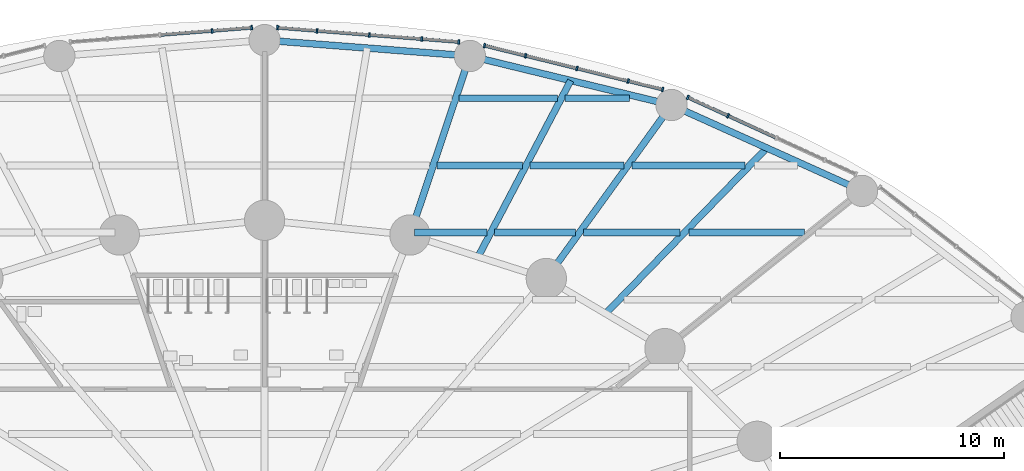
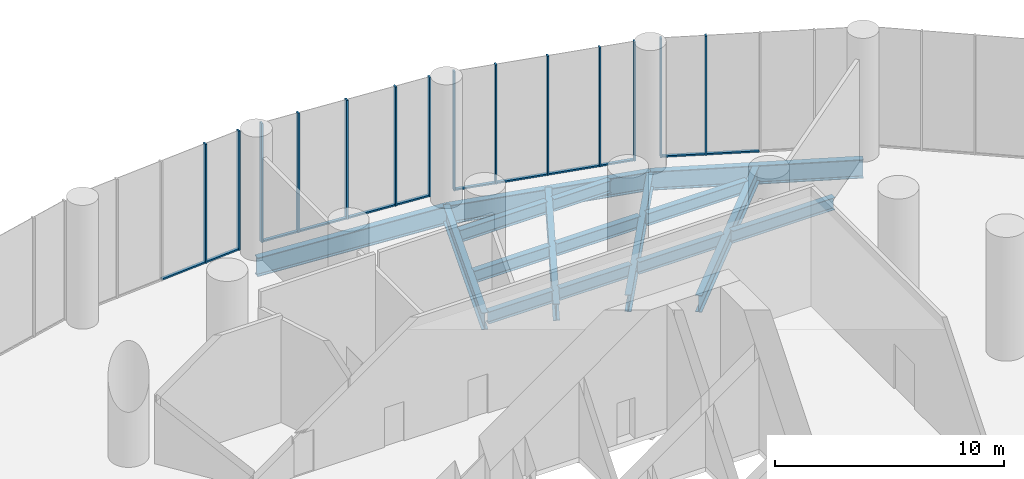
# One storey, part 10 of 22: 26 members, 16 beams, 4 elements without a shape of their own.
"""IFC4 building model written with IfcOpenShell, lengths in metres."""

from ifc_helpers import new_model, si_unit, direction, frame, origin, origin_2d, place, context, subcontext, project, spatial, rectangle, i_section, extrude, material, material_profile, profile_set, type_object, element, aggregate, save


model = new_model("IFC4")

# Units and contexts
model_context = context("Model", 3, precision=1e-05, world=origin(), true_north=direction((0.0, 1.0)))
body_context = subcontext(model_context, "Body", "Model", "MODEL_VIEW")
ifc_project = project(units=[si_unit("LENGTHUNIT", "METRE"), si_unit("AREAUNIT", "SQUARE_METRE"), si_unit("VOLUMEUNIT", "CUBIC_METRE"), si_unit("PLANEANGLEUNIT", "RADIAN"), si_unit("MASSUNIT", "GRAM", prefix="KILO")], contexts=[model_context])

# Site, building, storey
site_placement = place(None, origin())
site = spatial("IfcSite", under=ifc_project, at=site_placement, CompositionType="ELEMENT")
building_placement = place(site_placement, origin())
building = spatial("IfcBuilding", under=site, at=building_placement, Name="Hankou Lantern Tower", CompositionType="ELEMENT")
storey_placement = place(building_placement, frame((0.0, 0.0, 7.199951171875)))
storey = spatial("IfcBuildingStorey", under=building, at=storey_placement, Name="L01", CompositionType="ELEMENT", Elevation=7.199951171875)

# Curtain wall, members
ifc_material_1 = material(Name="Glass, dark grey tinted laminated", Category="glass")
curtain_wall_type = type_object("IfcCurtainWallType", Name="CWP PODIUM CURTAIN WALL", PredefinedType="USERDEFINED", material=ifc_material_1)
curtain_wall_1_placement = place(storey_placement, origin())
curtain_wall_1 = element("IfcCurtainWall", 1, at=curtain_wall_1_placement, inside=storey, type_object=curtain_wall_type, Name="CWP L01 PC02", ObjectType="PODIUM GLAZING", PredefinedType="USERDEFINED")
ifc_material_2 = material(Name="Aluminium, black anodised", Category="aluminium")
ifc_material_profile_1 = material_profile(ifc_material_2, rectangle(XDim=0.080078125, YDim=0.199951171875, at=origin_2d()), Name="MU2 80X200")
ifc_profile_set_1 = profile_set([ifc_material_profile_1], Name="Aluminium, black anodised")
member_type_1 = type_object("IfcMemberType", Name="MU2 PODIUM MULLION 80X200", PredefinedType="MULLION", material=ifc_profile_set_1)
member_1_placement = place(storey_placement, frame((20.711669921875, 24.717041015625, 0.0), z_axis=(0.0, 0.0, 1.0), x_axis=(-0.909669790944, 0.41533224224, 0.0)))
member_1 = element("IfcMember", 2, at=member_1_placement, type_object=member_type_1, Name="CWP mullion 4", PredefinedType="MULLION", context=body_context, shape_type="SweptSolid", body=[
    extrude(rectangle(XDim=0.080078125, YDim=0.199951171875, at=origin_2d()), origin(), (0.0, 0.0, 1.0), 6.35009765625),
])
member_2_placement = place(storey_placement, frame((18.913818359375, 25.537841796875, 0.0), z_axis=(0.0, 0.0, 1.0), x_axis=(-0.909669790944, 0.41533224224, 0.0)))
member_2 = element("IfcMember", 3, at=member_2_placement, type_object=member_type_1, Name="CWP mullion 5", PredefinedType="MULLION", context=body_context, shape_type="SweptSolid", body=[
    extrude(rectangle(XDim=0.080078125, YDim=0.199951171875, at=origin_2d()), origin(), (0.0, 0.0, 1.0), 6.35009765625),
])

curtain_wall_2_placement = place(storey_placement, origin())
curtain_wall_2 = element("IfcCurtainWall", 4, at=curtain_wall_2_placement, inside=storey, type_object=curtain_wall_type, Name="CWP L01 PC03", ObjectType="PODIUM GLAZING", PredefinedType="USERDEFINED")
member_3_placement = place(storey_placement, frame((17.785888671875, 25.892333984375, 0.0), z_axis=(0.0, 0.0, 1.0), x_axis=(-0.970960955091, 0.239238006364, 0.0)))
member_3 = element("IfcMember", 5, at=member_3_placement, type_object=member_type_1, Name="CWP mullion 1", PredefinedType="MULLION", context=body_context, shape_type="SweptSolid", body=[
    extrude(rectangle(XDim=0.080078125, YDim=0.199951171875, at=origin_2d()), origin(), (0.0, 0.0, 1.0), 6.35009765625),
])
member_4_placement = place(storey_placement, frame((16.25439453125, 26.26953125, 0.0), z_axis=(0.0, 0.0, 1.0), x_axis=(-0.970960955091, 0.239238006364, 0.0)))
member_4 = element("IfcMember", 6, at=member_4_placement, type_object=member_type_1, Name="CWP mullion 2", PredefinedType="MULLION", context=body_context, shape_type="SweptSolid", body=[
    extrude(rectangle(XDim=0.080078125, YDim=0.199951171875, at=origin_2d()), origin(), (0.0, 0.0, 1.0), 6.35009765625),
])
member_5_placement = place(storey_placement, frame((13.95849609375, 26.835205078125, 0.0), z_axis=(0.0, 0.0, 1.0), x_axis=(-0.970960955091, 0.239238006364, 0.0)))
member_5 = element("IfcMember", 7, at=member_5_placement, type_object=member_type_1, Name="CWP mullion 3", PredefinedType="MULLION", context=body_context, shape_type="SweptSolid", body=[
    extrude(rectangle(XDim=0.080078125, YDim=0.199951171875, at=origin_2d()), origin(), (0.0, 0.0, 1.0), 6.35009765625),
])
member_6_placement = place(storey_placement, frame((11.662841796875, 27.40087890625, 0.0), z_axis=(0.0, 0.0, 1.0), x_axis=(-0.970960955091, 0.239238006364, 0.0)))
member_6 = element("IfcMember", 8, at=member_6_placement, type_object=member_type_1, Name="CWP mullion 4", PredefinedType="MULLION", context=body_context, shape_type="SweptSolid", body=[
    extrude(rectangle(XDim=0.080078125, YDim=0.199951171875, at=origin_2d()), origin(), (0.0, 0.0, 1.0), 6.35009765625),
])
member_7_placement = place(storey_placement, frame((9.83056640625, 27.852294921875, 0.0), z_axis=(0.0, 0.0, 1.0), x_axis=(-0.970960955091, 0.239238006364, 0.0)))
member_7 = element("IfcMember", 9, at=member_7_placement, type_object=member_type_1, Name="CWP mullion 5", PredefinedType="MULLION", context=body_context, shape_type="SweptSolid", body=[
    extrude(rectangle(XDim=0.080078125, YDim=0.199951171875, at=origin_2d()), origin(), (0.0, 0.0, 1.0), 6.35009765625),
])

curtain_wall_3_placement = place(storey_placement, origin())
curtain_wall_3 = element("IfcCurtainWall", 10, at=curtain_wall_3_placement, inside=storey, type_object=curtain_wall_type, Name="CWP L01 PC04", ObjectType="PODIUM GLAZING", PredefinedType="USERDEFINED")
member_8_placement = place(storey_placement, frame((8.678955078125, 28.0205078125, 0.0), z_axis=(0.0, 0.0, 1.0), x_axis=(-0.996948515213, 0.078061885796, 0.0)))
member_8 = element("IfcMember", 11, at=member_8_placement, type_object=member_type_1, Name="CWP mullion 1", PredefinedType="MULLION", context=body_context, shape_type="SweptSolid", body=[
    extrude(rectangle(XDim=0.080078125, YDim=0.199951171875, at=origin_2d()), origin(), (0.0, 0.0, 1.0), 6.35009765625),
])
member_9_placement = place(storey_placement, frame((7.025146484375, 28.14990234375, 0.0), z_axis=(0.0, 0.0, 1.0), x_axis=(-0.996948515213, 0.078061885796, 0.0)))
member_9 = element("IfcMember", 12, at=member_9_placement, type_object=member_type_1, Name="CWP mullion 2", PredefinedType="MULLION", context=body_context, shape_type="SweptSolid", body=[
    extrude(rectangle(XDim=0.080078125, YDim=0.199951171875, at=origin_2d()), origin(), (0.0, 0.0, 1.0), 6.35009765625),
])
member_10_placement = place(storey_placement, frame((4.68359375, 28.333251953125, 0.0), z_axis=(0.0, 0.0, 1.0), x_axis=(-0.996948515213, 0.078061885796, 0.0)))
member_10 = element("IfcMember", 13, at=member_10_placement, type_object=member_type_1, Name="CWP mullion 3", PredefinedType="MULLION", context=body_context, shape_type="SweptSolid", body=[
    extrude(rectangle(XDim=0.080078125, YDim=0.199951171875, at=origin_2d()), origin(), (0.0, 0.0, 1.0), 6.35009765625),
])
member_11_placement = place(storey_placement, frame((2.341796875, 28.5166015625, 0.0), z_axis=(0.0, 0.0, 1.0), x_axis=(-0.996948515213, 0.078061885796, 0.0)))
member_11 = element("IfcMember", 14, at=member_11_placement, type_object=member_type_1, Name="CWP mullion 4", PredefinedType="MULLION", context=body_context, shape_type="SweptSolid", body=[
    extrude(rectangle(XDim=0.080078125, YDim=0.199951171875, at=origin_2d()), origin(), (0.0, 0.0, 1.0), 6.35009765625),
])
member_12_placement = place(storey_placement, frame((0.578857421875, 28.65478515625, 0.0), z_axis=(0.0, 0.0, 1.0), x_axis=(-0.996948515213, 0.078061885796, 0.0)))
member_12 = element("IfcMember", 15, at=member_12_placement, type_object=member_type_1, Name="CWP mullion 5", PredefinedType="MULLION", context=body_context, shape_type="SweptSolid", body=[
    extrude(rectangle(XDim=0.080078125, YDim=0.199951171875, at=origin_2d()), origin(), (0.0, 0.0, 1.0), 6.35009765625),
])

curtain_wall_4_placement = place(storey_placement, origin())
curtain_wall_4 = element("IfcCurtainWall", 16, at=curtain_wall_4_placement, inside=storey, type_object=curtain_wall_type, Name="CWP L01 PC05", ObjectType="PODIUM GLAZING", PredefinedType="USERDEFINED")
member_13_placement = place(storey_placement, frame((-0.578857421875, 28.65478515625, 0.0), z_axis=(0.0, 0.0, 1.0), x_axis=(-0.996948515213, -0.078061885796, 0.0)))
member_13 = element("IfcMember", 17, at=member_13_placement, type_object=member_type_1, Name="CWP mullion 1", PredefinedType="MULLION", context=body_context, shape_type="SweptSolid", body=[
    extrude(rectangle(XDim=0.080078125, YDim=0.199951171875, at=origin_2d()), origin(), (0.0, 0.0, 1.0), 6.35009765625),
])
member_14_placement = place(storey_placement, frame((-2.341796875, 28.5166015625, 0.0), z_axis=(0.0, 0.0, 1.0), x_axis=(-0.996948515213, -0.078061885796, 0.0)))
member_14 = element("IfcMember", 18, at=member_14_placement, type_object=member_type_1, Name="CWP mullion 2", PredefinedType="MULLION", context=body_context, shape_type="SweptSolid", body=[
    extrude(rectangle(XDim=0.080078125, YDim=0.199951171875, at=origin_2d()), origin(), (0.0, 0.0, 1.0), 6.35009765625),
])

# Beams
ifc_material_3 = material(Name="Steel Q355B", Category="steel")
ifc_material_profile_2 = material_profile(ifc_material_3, i_section(OverallWidth=0.300048828125, OverallDepth=0.89990234375, WebThickness=0.01611328125, FlangeThickness=0.028076171875, FilletRadius=0.01806640625, at=origin_2d()), Name="HN900x300x16x28")
ifc_profile_set_2 = profile_set([ifc_material_profile_2], Name="Steel Q355B")
beam_type_1 = type_object("IfcBeamType", Name="PB13 PODIUM RADIAL BEAM HN900x300x16x28", PredefinedType="BEAM", material=ifc_profile_set_2)
beam_1_placement = place(storey_placement, frame((12.5908203125, 17.446533203125, -0.699951171875), z_axis=(0.585207097055, 0.810883871807, 0.0), x_axis=(-0.810883871807, 0.585207097055, 0.0)))
element("IfcBeam", 19, at=beam_1_placement, inside=storey, type_object=beam_type_1, Name="Podium radial beam R05 L01", PredefinedType="BEAM", context=body_context, shape_type="SweptSolid", body=[
    extrude(i_section(OverallWidth=0.300048828125, OverallDepth=0.89990234375, WebThickness=0.01611328125, FlangeThickness=0.028076171875, FilletRadius=0.01806640625, at=origin_2d()), origin(), (0.0, 0.0, 1.0), 9.56103515625),
])
beam_2_placement = place(storey_placement, frame((6.494873046875, 19.391357421875, -0.699951171875), z_axis=(0.317599116391, 0.948225079434, 0.0), x_axis=(-0.948225079434, 0.317599116391, 0.0)))
element("IfcBeam", 20, at=beam_2_placement, inside=storey, type_object=beam_type_1, Name="Podium radial beam R06 L01", PredefinedType="BEAM", context=body_context, shape_type="SweptSolid", body=[
    extrude(i_section(OverallWidth=0.300048828125, OverallDepth=0.89990234375, WebThickness=0.01611328125, FlangeThickness=0.028076171875, FilletRadius=0.01806640625, at=origin_2d()), origin(), (0.0, 0.0, 1.0), 8.4365234375),
])
ifc_material_4 = material(Name="Steel Q355B", Category="steel")
ifc_material_profile_3 = material_profile(ifc_material_4, i_section(OverallWidth=0.300048828125, OverallDepth=1.0, WebThickness=0.01904296875, FlangeThickness=0.035888671875, FilletRadius=0.01806640625, at=origin_2d()), Name="HN1000x300x19x36")
ifc_profile_set_3 = profile_set([ifc_material_profile_3], Name="Steel Q355B")
beam_type_2 = type_object("IfcBeamType", Name="PR22 PODIUM RING BEAM HN1000x300x19x36", PredefinedType="BEAM", material=ifc_profile_set_3)
beam_3_placement = place(storey_placement, frame((26.7021484375, 21.361572265625, -0.75), z_axis=(-0.911695429723, 0.410866697874, 0.0), x_axis=(-0.410866697874, -0.911695429723, 0.0)))
element("IfcBeam", 21, at=beam_3_placement, inside=storey, type_object=beam_type_2, Name="Podium ring beam R04-R05 L01", PredefinedType="BEAM", context=body_context, shape_type="SweptSolid", body=[
    extrude(i_section(OverallWidth=0.300048828125, OverallDepth=1.0, WebThickness=0.01904296875, FlangeThickness=0.035888671875, FilletRadius=0.01806640625, at=origin_2d()), origin(), (0.0, 0.0, 1.0), 9.341064453125),
])
beam_4_placement = place(storey_placement, frame((18.18603515625, 25.199462890625, -0.75), z_axis=(-0.971677242441, 0.23631194748, 0.0), x_axis=(-0.23631194748, -0.971677242441, 0.0)))
element("IfcBeam", 22, at=beam_4_placement, inside=storey, type_object=beam_type_2, Name="Podium ring beam R05-R06 L01", PredefinedType="BEAM", context=body_context, shape_type="SweptSolid", body=[
    extrude(i_section(OverallWidth=0.300048828125, OverallDepth=1.0, WebThickness=0.01904296875, FlangeThickness=0.035888671875, FilletRadius=0.01806640625, at=origin_2d()), origin(), (0.0, 0.0, 1.0), 9.2744140625),
])
beam_5_placement = place(storey_placement, frame((9.17431640625, 27.39111328125, -0.75), z_axis=(-0.997027266507, 0.077049528499, 0.0), x_axis=(-0.077049528499, -0.997027266507, 0.0)))
element("IfcBeam", 23, at=beam_5_placement, inside=storey, type_object=beam_type_2, Name="Podium ring beam R06-R07 L01", PredefinedType="BEAM", context=body_context, shape_type="SweptSolid", body=[
    extrude(i_section(OverallWidth=0.300048828125, OverallDepth=1.0, WebThickness=0.01904296875, FlangeThickness=0.035888671875, FilletRadius=0.01806640625, at=origin_2d()), origin(), (0.0, 0.0, 1.0), 9.20166015625),
])
ifc_material_5 = material(Name="Steel Q355B", Category="steel")
ifc_material_profile_4 = material_profile(ifc_material_5, i_section(OverallWidth=0.300048828125, OverallDepth=0.89990234375, WebThickness=0.01611328125, FlangeThickness=0.028076171875, FilletRadius=0.01806640625, at=origin_2d()), Name="HN900x300x16x28")
ifc_profile_set_4 = profile_set([ifc_material_profile_4], Name="Steel Q355B")
beam_type_3 = type_object("IfcBeamType", Name="PS13 PODIUM SECONDARY BEAM HN900x300x16x28", PredefinedType="JOIST", material=ifc_profile_set_4)
beam_6_placement = place(storey_placement, frame((15.2412109375, 15.8798828125, -0.699951171875), z_axis=(0.697467529957, 0.716616385981, 0.0), x_axis=(-0.716616385981, 0.697467529957, 0.0)))
element("IfcBeam", 24, at=beam_6_placement, inside=storey, type_object=beam_type_3, Name="Podium secondary beam bay R04 L01", PredefinedType="JOIST", context=body_context, shape_type="SweptSolid", body=[
    extrude(i_section(OverallWidth=0.300048828125, OverallDepth=0.89990234375, WebThickness=0.01611328125, FlangeThickness=0.028076171875, FilletRadius=0.01806640625, at=origin_2d()), origin(), (0.0, 0.0, 1.0), 10.3271484375),
])
beam_7_placement = place(storey_placement, frame((9.54296875, 18.4189453125, -0.699951171875), z_axis=(0.465026961303, 0.88529651827, 0.0), x_axis=(-0.88529651827, 0.465026961303, 0.0)))
element("IfcBeam", 25, at=beam_7_placement, inside=storey, type_object=beam_type_3, Name="Podium secondary beam bay R05 L01", PredefinedType="JOIST", context=body_context, shape_type="SweptSolid", body=[
    extrude(i_section(OverallWidth=0.300048828125, OverallDepth=0.89990234375, WebThickness=0.01611328125, FlangeThickness=0.028076171875, FilletRadius=0.01806640625, at=origin_2d()), origin(), (0.0, 0.0, 1.0), 8.896728515625),
])
ifc_material_6 = material(Name="Steel Q355B", Category="steel")
ifc_material_profile_5 = material_profile(ifc_material_6, i_section(OverallWidth=0.300048828125, OverallDepth=0.64990234375, WebThickness=0.010986328125, FlangeThickness=0.01708984375, FilletRadius=0.01806640625, at=origin_2d()), Name="HN650x300x11x17")
ifc_profile_set_5 = profile_set([ifc_material_profile_5], Name="Steel Q355B")
beam_type_4 = type_object("IfcBeamType", Name="SB8 SECONDARY BEAM HN650x300x11x17", PredefinedType="JOIST", material=ifc_profile_set_5)
beam_8_placement = place(storey_placement, frame((6.689453125, 19.5, -0.574951171875), z_axis=(1.0, 0.0, 0.0), x_axis=(0.0, 1.0, 0.0)))
element("IfcBeam", 26, at=beam_8_placement, inside=storey, type_object=beam_type_4, Name="Floor joist J144 L01", PredefinedType="JOIST", context=body_context, shape_type="SweptSolid", body=[
    extrude(i_section(OverallWidth=0.300048828125, OverallDepth=0.64990234375, WebThickness=0.010986328125, FlangeThickness=0.01708984375, FilletRadius=0.01806640625, at=origin_2d()), origin(), (0.0, 0.0, 1.0), 3.251953125),
])
beam_9_placement = place(storey_placement, frame((10.2802734375, 19.5, -0.574951171875), z_axis=(1.0, 0.0, 0.0), x_axis=(0.0, 1.0, 0.0)))
element("IfcBeam", 27, at=beam_9_placement, inside=storey, type_object=beam_type_4, Name="Floor joist J145 L01", PredefinedType="JOIST", context=body_context, shape_type="SweptSolid", body=[
    extrude(i_section(OverallWidth=0.300048828125, OverallDepth=0.64990234375, WebThickness=0.010986328125, FlangeThickness=0.01708984375, FilletRadius=0.01806640625, at=origin_2d()), origin(), (0.0, 0.0, 1.0), 3.607666015625),
])
beam_10_placement = place(storey_placement, frame((14.2578125, 19.5, -0.574951171875), z_axis=(1.0, 0.0, 0.0), x_axis=(0.0, 1.0, 0.0)))
element("IfcBeam", 28, at=beam_10_placement, inside=storey, type_object=beam_type_4, Name="Floor joist J146 L01", PredefinedType="JOIST", context=body_context, shape_type="SweptSolid", body=[
    extrude(i_section(OverallWidth=0.300048828125, OverallDepth=0.64990234375, WebThickness=0.010986328125, FlangeThickness=0.01708984375, FilletRadius=0.01806640625, at=origin_2d()), origin(), (0.0, 0.0, 1.0), 4.29736328125),
])
beam_11_placement = place(storey_placement, frame((18.973876953125, 19.5, -0.574951171875), z_axis=(1.0, 0.0, 0.0), x_axis=(0.0, 1.0, 0.0)))
element("IfcBeam", 29, at=beam_11_placement, inside=storey, type_object=beam_type_4, Name="Floor joist J147 L01", PredefinedType="JOIST", context=body_context, shape_type="SweptSolid", body=[
    extrude(i_section(OverallWidth=0.300048828125, OverallDepth=0.64990234375, WebThickness=0.010986328125, FlangeThickness=0.01708984375, FilletRadius=0.01806640625, at=origin_2d()), origin(), (0.0, 0.0, 1.0), 5.160888671875),
])
beam_12_placement = place(storey_placement, frame((7.6943359375, 22.5, -0.574951171875), z_axis=(1.0, 0.0, 0.0), x_axis=(0.0, 1.0, 0.0)))
element("IfcBeam", 30, at=beam_12_placement, inside=storey, type_object=beam_type_4, Name="Floor joist J157 L01", PredefinedType="JOIST", context=body_context, shape_type="SweptSolid", body=[
    extrude(i_section(OverallWidth=0.300048828125, OverallDepth=0.64990234375, WebThickness=0.010986328125, FlangeThickness=0.01708984375, FilletRadius=0.01806640625, at=origin_2d()), origin(), (0.0, 0.0, 1.0), 3.82275390625),
])
beam_13_placement = place(storey_placement, frame((11.85595703125, 22.5, -0.574951171875), z_axis=(1.0, 0.0, 0.0), x_axis=(0.0, 1.0, 0.0)))
element("IfcBeam", 31, at=beam_13_placement, inside=storey, type_object=beam_type_4, Name="Floor joist J158 L01", PredefinedType="JOIST", context=body_context, shape_type="SweptSolid", body=[
    extrude(i_section(OverallWidth=0.300048828125, OverallDepth=0.64990234375, WebThickness=0.010986328125, FlangeThickness=0.01708984375, FilletRadius=0.01806640625, at=origin_2d()), origin(), (0.0, 0.0, 1.0), 4.197021484375),
])
beam_14_placement = place(storey_placement, frame((16.423095703125, 22.5, -0.574951171875), z_axis=(1.0, 0.0, 0.0), x_axis=(0.0, 1.0, 0.0)))
element("IfcBeam", 32, at=beam_14_placement, inside=storey, type_object=beam_type_4, Name="Floor joist J159 L01", PredefinedType="JOIST", context=body_context, shape_type="SweptSolid", body=[
    extrude(i_section(OverallWidth=0.300048828125, OverallDepth=0.64990234375, WebThickness=0.010986328125, FlangeThickness=0.01708984375, FilletRadius=0.01806640625, at=origin_2d()), origin(), (0.0, 0.0, 1.0), 5.052001953125),
])
beam_15_placement = place(storey_placement, frame((8.698974609375, 25.5, -0.574951171875), z_axis=(1.0, 0.0, 0.0), x_axis=(0.0, 1.0, 0.0)))
element("IfcBeam", 33, at=beam_15_placement, inside=storey, type_object=beam_type_4, Name="Floor joist J167 L01", PredefinedType="JOIST", context=body_context, shape_type="SweptSolid", body=[
    extrude(i_section(OverallWidth=0.300048828125, OverallDepth=0.64990234375, WebThickness=0.010986328125, FlangeThickness=0.01708984375, FilletRadius=0.01806640625, at=origin_2d()), origin(), (0.0, 0.0, 1.0), 4.39404296875),
])
beam_16_placement = place(storey_placement, frame((13.431884765625, 25.5, -0.574951171875), z_axis=(1.0, 0.0, 0.0), x_axis=(0.0, 1.0, 0.0)))
element("IfcBeam", 34, at=beam_16_placement, inside=storey, type_object=beam_type_4, Name="Floor joist J168 L01", PredefinedType="JOIST", context=body_context, shape_type="SweptSolid", body=[
    extrude(i_section(OverallWidth=0.300048828125, OverallDepth=0.64990234375, WebThickness=0.010986328125, FlangeThickness=0.01708984375, FilletRadius=0.01806640625, at=origin_2d()), origin(), (0.0, 0.0, 1.0), 2.883544921875),
])

# Member
ifc_material_7 = material(Name="Aluminium, black anodised", Category="aluminium")
ifc_material_profile_6 = material_profile(ifc_material_7, rectangle(XDim=0.14990234375, YDim=0.080078125, at=origin_2d()), Name="TR2 150X80")
ifc_profile_set_6 = profile_set([ifc_material_profile_6], Name="Aluminium, black anodised")
member_type_2 = type_object("IfcMemberType", Name="TR2 PODIUM TRANSOM 150X80", PredefinedType="USERDEFINED", material=ifc_profile_set_6)
member_15_placement = place(storey_placement, frame((22.836669921875, 23.746826171875, 0.0400390625), z_axis=(-0.909669664149, 0.415332519949, 0.0), x_axis=(-0.415332519949, -0.909669664149, 0.0)))
member_15 = element("IfcMember", 35, at=member_15_placement, type_object=member_type_2, Name="CWP transom 3", ObjectType="TRANSOM", PredefinedType="USERDEFINED", context=body_context, shape_type="SweptSolid", body=[
    extrude(rectangle(XDim=0.14990234375, YDim=0.080078125, at=origin_2d()), origin(), (0.0, 0.0, 1.0), 2.296142578125),
])

member_16_placement = place(storey_placement, frame((20.67529296875, 24.733642578125, 0.0400390625), z_axis=(-0.909677430468, 0.41531550958, 0.0), x_axis=(-0.41531550958, -0.909677430468, 0.0)))
member_16 = element("IfcMember", 36, at=member_16_placement, type_object=member_type_2, Name="CWP transom 4", ObjectType="TRANSOM", PredefinedType="USERDEFINED", context=body_context, shape_type="SweptSolid", body=[
    extrude(rectangle(XDim=0.14990234375, YDim=0.080078125, at=origin_2d()), origin(), (0.0, 0.0, 1.0), 1.896484375),
])

aggregate(curtain_wall_1, [member_1, member_2, member_15, member_16])

member_17_placement = place(storey_placement, frame((17.7470703125, 25.90185546875, 0.0400390625), z_axis=(-0.970971197991, 0.239196431142, 0.0), x_axis=(-0.239196431142, -0.970971197991, 0.0)))
member_17 = element("IfcMember", 37, at=member_17_placement, type_object=member_type_2, Name="CWP transom 1", ObjectType="TRANSOM", PredefinedType="USERDEFINED", context=body_context, shape_type="SweptSolid", body=[
    extrude(rectangle(XDim=0.14990234375, YDim=0.080078125, at=origin_2d()), origin(), (0.0, 0.0, 1.0), 1.497314453125),
])

member_18_placement = place(storey_placement, frame((16.215576171875, 26.279052734375, 0.0400390625), z_axis=(-0.970948059845, 0.239290336378, 0.0), x_axis=(-0.239290336378, -0.970948059845, 0.0)))
member_18 = element("IfcMember", 38, at=member_18_placement, type_object=member_type_2, Name="CWP transom 2", ObjectType="TRANSOM", PredefinedType="USERDEFINED", context=body_context, shape_type="SweptSolid", body=[
    extrude(rectangle(XDim=0.14990234375, YDim=0.080078125, at=origin_2d()), origin(), (0.0, 0.0, 1.0), 2.284423828125),
])

member_19_placement = place(storey_placement, frame((13.919677734375, 26.8447265625, 0.0400390625), z_axis=(-0.970948059845, 0.239290336378, 0.0), x_axis=(-0.239290336378, -0.970948059845, 0.0)))
member_19 = element("IfcMember", 39, at=member_19_placement, type_object=member_type_2, Name="CWP transom 3", ObjectType="TRANSOM", PredefinedType="USERDEFINED", context=body_context, shape_type="SweptSolid", body=[
    extrude(rectangle(XDim=0.14990234375, YDim=0.080078125, at=origin_2d()), origin(), (0.0, 0.0, 1.0), 2.284423828125),
])

member_20_placement = place(storey_placement, frame((11.6240234375, 27.410400390625, 0.0400390625), z_axis=(-0.970955515261, 0.23926008314, 0.0), x_axis=(-0.23926008314, -0.970955515261, 0.0)))
member_20 = element("IfcMember", 40, at=member_20_placement, type_object=member_type_2, Name="CWP transom 4", ObjectType="TRANSOM", PredefinedType="USERDEFINED", context=body_context, shape_type="SweptSolid", body=[
    extrude(rectangle(XDim=0.14990234375, YDim=0.080078125, at=origin_2d()), origin(), (0.0, 0.0, 1.0), 1.80712890625),
])

aggregate(curtain_wall_2, [member_3, member_4, member_5, member_6, member_7, member_17, member_18, member_19, member_20])

member_21_placement = place(storey_placement, frame((8.638916015625, 28.023681640625, 0.0400390625), z_axis=(-0.996957260436, 0.077950117788, 0.0), x_axis=(-0.077950117788, -0.996957260436, 0.0)))
member_21 = element("IfcMember", 41, at=member_21_placement, type_object=member_type_2, Name="CWP transom 1", ObjectType="TRANSOM", PredefinedType="USERDEFINED", context=body_context, shape_type="SweptSolid", body=[
    extrude(rectangle(XDim=0.14990234375, YDim=0.080078125, at=origin_2d()), origin(), (0.0, 0.0, 1.0), 1.57861328125),
])

member_22_placement = place(storey_placement, frame((6.9853515625, 28.153076171875, 0.0400390625), z_axis=(-0.996952341782, 0.078013000301, 0.0), x_axis=(-0.078013000301, -0.996952341782, 0.0)))
member_22 = element("IfcMember", 42, at=member_22_placement, type_object=member_type_2, Name="CWP transom 2", ObjectType="TRANSOM", PredefinedType="USERDEFINED", context=body_context, shape_type="SweptSolid", body=[
    extrude(rectangle(XDim=0.14990234375, YDim=0.080078125, at=origin_2d()), origin(), (0.0, 0.0, 1.0), 2.268798828125),
])

member_23_placement = place(storey_placement, frame((4.6435546875, 28.33642578125, 0.0400390625), z_axis=(-0.996952341782, 0.078013000301, 0.0), x_axis=(-0.078013000301, -0.996952341782, 0.0)))
member_23 = element("IfcMember", 43, at=member_23_placement, type_object=member_type_2, Name="CWP transom 3", ObjectType="TRANSOM", PredefinedType="USERDEFINED", context=body_context, shape_type="SweptSolid", body=[
    extrude(rectangle(XDim=0.14990234375, YDim=0.080078125, at=origin_2d()), origin(), (0.0, 0.0, 1.0), 2.268798828125),
])

member_24_placement = place(storey_placement, frame((2.3017578125, 28.519775390625, 0.0400390625), z_axis=(-0.996946329832, 0.078089790848, 0.0), x_axis=(-0.078089790848, -0.996946329832, 0.0)))
member_24 = element("IfcMember", 44, at=member_24_placement, type_object=member_type_2, Name="CWP transom 4", ObjectType="TRANSOM", PredefinedType="USERDEFINED", context=body_context, shape_type="SweptSolid", body=[
    extrude(rectangle(XDim=0.14990234375, YDim=0.080078125, at=origin_2d()), origin(), (0.0, 0.0, 1.0), 1.688232421875),
])

aggregate(curtain_wall_3, [member_8, member_9, member_10, member_11, member_12, member_21, member_22, member_23, member_24])

member_25_placement = place(storey_placement, frame((-0.61865234375, 28.651611328125, 0.0400390625), z_axis=(-0.996946329832, -0.078089790848, 0.0), x_axis=(0.078089790848, -0.996946329832, 0.0)))
member_25 = element("IfcMember", 45, at=member_25_placement, type_object=member_type_2, Name="CWP transom 1", ObjectType="TRANSOM", PredefinedType="USERDEFINED", context=body_context, shape_type="SweptSolid", body=[
    extrude(rectangle(XDim=0.14990234375, YDim=0.080078125, at=origin_2d()), origin(), (0.0, 0.0, 1.0), 1.688232421875),
])

member_26_placement = place(storey_placement, frame((-2.381591796875, 28.513427734375, 0.0400390625), z_axis=(-0.996952341782, -0.078013000301, 0.0), x_axis=(0.078013000301, -0.996952341782, 0.0)))
member_26 = element("IfcMember", 46, at=member_26_placement, type_object=member_type_2, Name="CWP transom 2", ObjectType="TRANSOM", PredefinedType="USERDEFINED", context=body_context, shape_type="SweptSolid", body=[
    extrude(rectangle(XDim=0.14990234375, YDim=0.080078125, at=origin_2d()), origin(), (0.0, 0.0, 1.0), 2.268798828125),
])

aggregate(curtain_wall_4, [member_13, member_14, member_25, member_26])

save(model, "model.ifc")
